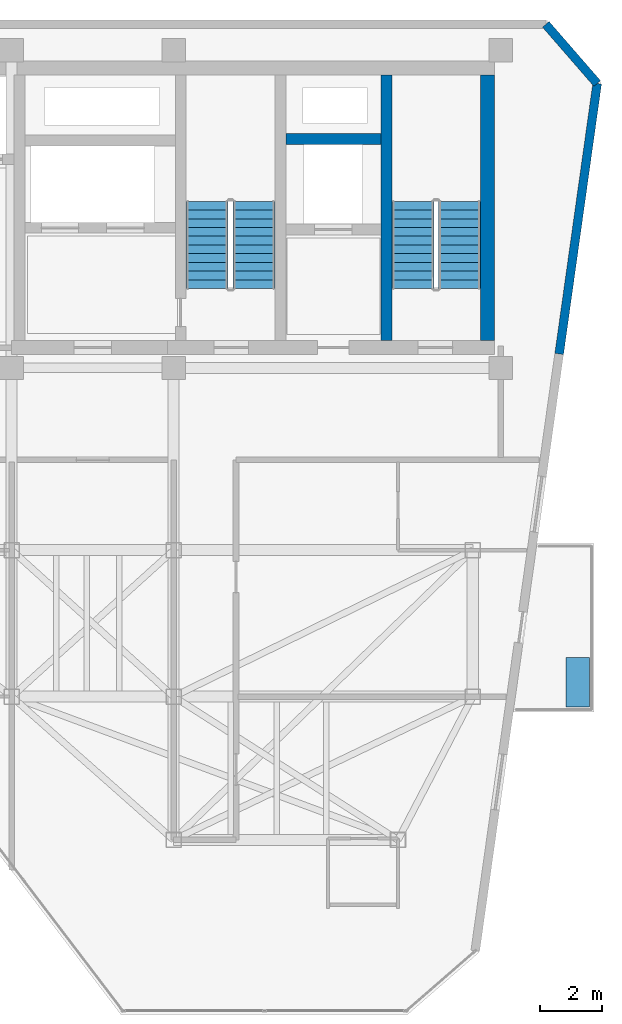
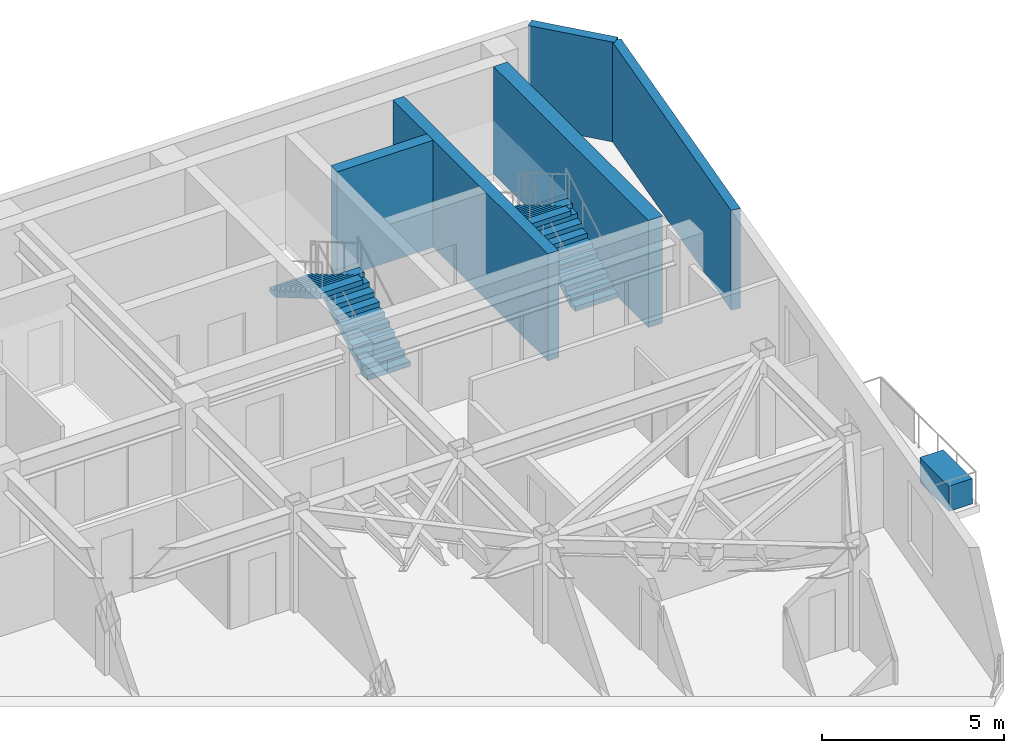
# One storey, part 18 of 20: 5 walls, 4 stair flights, 1 discrete accessory, 2 elements without a shape of their own.
"""IFC4 building model written with IfcOpenShell, lengths in metres."""

from ifc_helpers import new_model, si_unit, direction, frame, frame_2d, origin, origin_2d, place, context, subcontext, project, spatial, polyline, rectangle, outline, extrude, material, layer, layer_set, type_object, element, aggregate, save


model = new_model("IFC4")

# Units and contexts
model_context = context("Model", 3, precision=1e-05, world=origin(), true_north=direction((0.0, 1.0)))
body_context = subcontext(model_context, "Body", "Model", "MODEL_VIEW")
ifc_project = project(units=[si_unit("LENGTHUNIT", "METRE"), si_unit("AREAUNIT", "SQUARE_METRE"), si_unit("VOLUMEUNIT", "CUBIC_METRE"), si_unit("PLANEANGLEUNIT", "RADIAN"), si_unit("MASSUNIT", "GRAM", prefix="KILO")], contexts=[model_context])

# Site, building, storey
site_placement = place(None, origin())
site = spatial("IfcSite", under=ifc_project, at=site_placement, CompositionType="ELEMENT")
building_placement = place(site_placement, origin())
building = spatial("IfcBuilding", under=site, at=building_placement, Name="Kravanh Interchange Tower", CompositionType="ELEMENT")
storey_placement = place(building_placement, frame((0.0, 0.0, 241.800048828125)))
storey = spatial("IfcBuildingStorey", under=building, at=storey_placement, Name="L58", CompositionType="ELEMENT", Elevation=241.800048828125)

# Walls
ifc_material_1 = material(Name="Concrete C60/75", Category="concrete")
ifc_layer_1 = layer(ifc_material_1, 0.35009765625)
ifc_layer_set_1 = layer_set([ifc_layer_1], Name="Core Shear Wall Concrete C60/75 350mm")
wall_type_1 = type_object("IfcWallType", Name="Core Shear Wall Concrete C60/75 350mm", PredefinedType="SHEAR", material=ifc_layer_set_1)
wall_1_placement = place(storey_placement, frame((62.824951171875, 38.22509765625, 0.0), z_axis=(0.0, 0.0, 1.0), x_axis=(0.0, 1.0, 0.0)))
element("IfcWall", 1, at=wall_1_placement, inside=storey, type_object=wall_type_1, Name="L58 Stair ST1 West Shear Wall", PredefinedType="SHEAR", context=body_context, shape_type="SweptSolid", body=[
    extrude(rectangle(XDim=8.52490234375, YDim=0.35009765625, at=frame_2d((4.262451171875, 0.0))), origin(), (0.0, 0.0, 1.0), 3.599853515625),
])
wall_2_placement = place(storey_placement, frame((59.60009765625, 44.699951171875, 0.0), z_axis=(0.0, 0.0, 1.0), x_axis=(1.0, 0.0, 0.0)))
element("IfcWall", 2, at=wall_2_placement, inside=storey, type_object=wall_type_1, Name="L58 Service Lift Shaft North Wall", PredefinedType="SHEAR", context=body_context, shape_type="SweptSolid", body=[
    extrude(rectangle(XDim=3.0498046875, YDim=0.35009765625, at=frame_2d((1.52490234375, 0.0))), origin(), (0.0, 0.0, 1.0), 3.599853515625),
])
ifc_material_2 = material(Name="Concrete C60/75", Category="concrete")
ifc_layer_2 = layer(ifc_material_2, 0.449951171875)
ifc_layer_set_2 = layer_set([ifc_layer_2], Name="Core Shear Wall Concrete C60/75 450mm")
wall_type_2 = type_object("IfcWallType", Name="Core Shear Wall Concrete C60/75 450mm", PredefinedType="SHEAR", material=ifc_layer_set_2)
wall_3_placement = place(storey_placement, frame((66.074951171875, 38.22509765625, 0.0), z_axis=(0.0, 0.0, 1.0), x_axis=(0.0, 1.0, 0.0)))
element("IfcWall", 3, at=wall_3_placement, inside=storey, type_object=wall_type_2, Name="L58 Stair ST1 East Shear Wall", PredefinedType="SHEAR", context=body_context, shape_type="SweptSolid", body=[
    extrude(rectangle(XDim=8.52490234375, YDim=0.449951171875, at=frame_2d((4.262451171875, 0.0))), origin(), (0.0, 0.0, 1.0), 3.599853515625),
])
ifc_material_3 = material(Name="Insulated Precast Concrete C40/50 with Bronze Cladding", Category="concrete")
ifc_layer_3 = layer(ifc_material_3, 0.280029296875)
ifc_layer_set_3 = layer_set([ifc_layer_3], Name="Exterior Insulated Concrete C40/50 Bronze Spandrel Wall 280mm")
wall_type_3 = type_object("IfcWallType", Name="Exterior Insulated Concrete C40/50 Bronze Spandrel Wall 280mm", PredefinedType="STANDARD", material=ifc_layer_set_3)
wall_4_placement = place(storey_placement, frame((67.9453125, 48.3798828125, 0.0), z_axis=(0.0, 0.0, 1.0), x_axis=(0.656068147197, -0.75470165379, 0.0)))
element("IfcWall", 4, at=wall_4_placement, inside=storey, type_object=wall_type_3, Name="L58 Exterior Wall 4", PredefinedType="STANDARD", context=body_context, shape_type="SweptSolid", body=[
    extrude(rectangle(XDim=2.514892578125, YDim=0.280029296875, at=frame_2d((1.25732421875, 0.0))), origin(), (0.0, 0.0, 1.0), 3.349853515625),
])
wall_5_placement = place(storey_placement, frame((69.59521484375, 46.48193359375, 0.0), z_axis=(0.0, 0.0, 1.0), x_axis=(-0.139179310088, -0.990267196086, 0.0)))
element("IfcWall", 5, at=wall_5_placement, inside=storey, type_object=wall_type_3, Name="L58 Exterior Wall 5", PredefinedType="STANDARD", context=body_context, shape_type="SweptSolid", body=[
    extrude(rectangle(XDim=8.767333984375, YDim=0.280029296875, at=frame_2d((4.3837890625, 0.0))), origin(), (0.0, 0.0, 1.0), 3.349853515625),
])

# Stair, stair flights
ifc_material_4 = material(Name="Concrete C50/60", Category="concrete")
stair_type = type_object("IfcStairType", Name="Core Fire Exit Dogleg Stair Concrete C50/60", PredefinedType="HALF_TURN_STAIR", material=ifc_material_4)
stair_1_placement = place(storey_placement, origin())
stair_1 = element("IfcStair", 6, at=stair_1_placement, inside=storey, type_object=stair_type, Name="L58 Exit Stair ST1", PredefinedType="HALF_TURN_STAIR")
ifc_material_5 = material(Name="Precast Concrete C50/60", Category="concrete")
ifc_layer_4 = layer(ifc_material_5, 0.199951171875)
ifc_layer_set_4 = layer_set([ifc_layer_4], Name="Precast Concrete C50/60 Stair Flight 1350mm")
stair_flight_type = type_object("IfcStairFlightType", Name="Precast Concrete C50/60 Stair Flight 1350mm", PredefinedType="STRAIGHT", material=ifc_layer_set_4)
stair_flight_1_placement = place(storey_placement, frame((65.175048828125, 39.89990234375, 0.0), z_axis=(0.0, 0.0, 1.0), x_axis=(0.0, 1.0, 0.0)))
stair_flight_1 = element("IfcStairFlight", 7, at=stair_flight_1_placement, type_object=stair_flight_type, Name="ST1 flight 1", NumberOfRisers=11, NumberOfTreads=10, PredefinedType="STRAIGHT", RiserHeight=0.163636364, TreadLength=0.28, context=body_context, shape_type="SweptSolid", body=[
    extrude(outline(polyline([(0.0, 0.0), (0.0, 0.16357421875), (0.280029296875, 0.16357421875), (0.280029296875, 0.327392578125), (0.56005859375, 0.327392578125), (0.56005859375, 0.490966796875), (0.840087890625, 0.490966796875), (0.840087890625, 0.654541015625), (1.1201171875, 0.654541015625), (1.1201171875, 0.818115234375), (1.39990234375, 0.818115234375), (1.39990234375, 0.98193359375), (1.679931640625, 0.98193359375), (1.679931640625, 1.1455078125), (1.9599609375, 1.1455078125), (1.9599609375, 1.30908203125), (2.239990234375, 1.30908203125), (2.239990234375, 1.47265625), (2.52001953125, 1.47265625), (2.52001953125, 1.636474609375), (2.800048828125, 1.636474609375), (2.800048828125, 1.800048828125), (2.800048828125, 1.462646484375), (0.297119140625, 0.0), (0.0, 0.0)])), frame((0.0, 0.675048828125, 0.0), z_axis=(0.0, -1.0, 0.0), x_axis=(1.0, 0.0, 0.0)), (0.0, 0.0, 1.0), 1.35009765625),
])
stair_flight_2_placement = place(storey_placement, frame((63.675048828125, 42.699951171875, 1.800048828125), z_axis=(0.0, 0.0, 1.0), x_axis=(0.0, -1.0, 0.0)))
stair_flight_2 = element("IfcStairFlight", 8, at=stair_flight_2_placement, type_object=stair_flight_type, Name="ST1 flight 2", NumberOfRisers=11, NumberOfTreads=10, PredefinedType="STRAIGHT", RiserHeight=0.163636364, TreadLength=0.28, context=body_context, shape_type="SweptSolid", body=[
    extrude(outline(polyline([(0.0, 0.0), (0.0, 0.16357421875), (0.280029296875, 0.16357421875), (0.280029296875, 0.327392578125), (0.56005859375, 0.327392578125), (0.56005859375, 0.490966796875), (0.840087890625, 0.490966796875), (0.840087890625, 0.654541015625), (1.1201171875, 0.654541015625), (1.1201171875, 0.818115234375), (1.39990234375, 0.818115234375), (1.39990234375, 0.98193359375), (1.679931640625, 0.98193359375), (1.679931640625, 1.1455078125), (1.9599609375, 1.1455078125), (1.9599609375, 1.30908203125), (2.239990234375, 1.30908203125), (2.239990234375, 1.47265625), (2.52001953125, 1.47265625), (2.52001953125, 1.636474609375), (2.800048828125, 1.636474609375), (2.800048828125, 1.800048828125), (2.800048828125, 1.462646484375), (0.297119140625, 0.0), (0.0, 0.0)])), frame((0.0, 0.675048828125, 0.0), z_axis=(0.0, -1.0, 0.0), x_axis=(1.0, 0.0, 0.0)), (0.0, 0.0, 1.0), 1.35009765625),
])
aggregate(stair_1, [stair_flight_1, stair_flight_2])

stair_2_placement = place(storey_placement, origin())
stair_2 = element("IfcStair", 9, at=stair_2_placement, inside=storey, type_object=stair_type, Name="L58 Exit Stair ST2", PredefinedType="HALF_TURN_STAIR")
stair_flight_3_placement = place(storey_placement, frame((58.574951171875, 39.89990234375, 0.0), z_axis=(0.0, 0.0, 1.0), x_axis=(0.0, 1.0, 0.0)))
stair_flight_3 = element("IfcStairFlight", 10, at=stair_flight_3_placement, type_object=stair_flight_type, Name="ST2 flight 1", NumberOfRisers=11, NumberOfTreads=10, PredefinedType="STRAIGHT", RiserHeight=0.163636364, TreadLength=0.28, context=body_context, shape_type="SweptSolid", body=[
    extrude(outline(polyline([(0.0, 0.0), (0.0, 0.16357421875), (0.280029296875, 0.16357421875), (0.280029296875, 0.327392578125), (0.56005859375, 0.327392578125), (0.56005859375, 0.490966796875), (0.840087890625, 0.490966796875), (0.840087890625, 0.654541015625), (1.1201171875, 0.654541015625), (1.1201171875, 0.818115234375), (1.39990234375, 0.818115234375), (1.39990234375, 0.98193359375), (1.679931640625, 0.98193359375), (1.679931640625, 1.1455078125), (1.9599609375, 1.1455078125), (1.9599609375, 1.30908203125), (2.239990234375, 1.30908203125), (2.239990234375, 1.47265625), (2.52001953125, 1.47265625), (2.52001953125, 1.636474609375), (2.800048828125, 1.636474609375), (2.800048828125, 1.800048828125), (2.800048828125, 1.462646484375), (0.297119140625, 0.0), (0.0, 0.0)])), frame((0.0, 0.675048828125, 0.0), z_axis=(0.0, -1.0, 0.0), x_axis=(1.0, 0.0, 0.0)), (0.0, 0.0, 1.0), 1.35009765625),
])
stair_flight_4_placement = place(storey_placement, frame((57.074951171875, 42.699951171875, 1.800048828125), z_axis=(0.0, 0.0, 1.0), x_axis=(0.0, -1.0, 0.0)))
stair_flight_4 = element("IfcStairFlight", 11, at=stair_flight_4_placement, type_object=stair_flight_type, Name="ST2 flight 2", NumberOfRisers=11, NumberOfTreads=10, PredefinedType="STRAIGHT", RiserHeight=0.163636364, TreadLength=0.28, context=body_context, shape_type="SweptSolid", body=[
    extrude(outline(polyline([(0.0, 0.0), (0.0, 0.16357421875), (0.280029296875, 0.16357421875), (0.280029296875, 0.327392578125), (0.56005859375, 0.327392578125), (0.56005859375, 0.490966796875), (0.840087890625, 0.490966796875), (0.840087890625, 0.654541015625), (1.1201171875, 0.654541015625), (1.1201171875, 0.818115234375), (1.39990234375, 0.818115234375), (1.39990234375, 0.98193359375), (1.679931640625, 0.98193359375), (1.679931640625, 1.1455078125), (1.9599609375, 1.1455078125), (1.9599609375, 1.30908203125), (2.239990234375, 1.30908203125), (2.239990234375, 1.47265625), (2.52001953125, 1.47265625), (2.52001953125, 1.636474609375), (2.800048828125, 1.636474609375), (2.800048828125, 1.800048828125), (2.800048828125, 1.462646484375), (0.297119140625, 0.0), (0.0, 0.0)])), frame((0.0, 0.675048828125, 0.0), z_axis=(0.0, -1.0, 0.0), x_axis=(1.0, 0.0, 0.0)), (0.0, 0.0, 1.0), 1.35009765625),
])
aggregate(stair_2, [stair_flight_3, stair_flight_4])

# Discrete accessory
ifc_material_6 = material(Name="Architectural GRC Concrete C40/50 with Root Barrier", Category="concrete")
discrete_accessory_type = type_object("IfcDiscreteAccessoryType", Name="Structural Balcony Tree Planter Box Concrete C40/50 1600x750x850", PredefinedType="USERDEFINED", material=ifc_material_6)
discrete_accessory_placement = place(storey_placement, frame((68.969970703125, 27.260009765625, 0.0), z_axis=(0.0, 0.0, 1.0), x_axis=(1.0, 0.0, 0.0)))
element("IfcDiscreteAccessory", 12, at=discrete_accessory_placement, inside=storey, type_object=discrete_accessory_type, Name="L58 E Balcony TREE PLANTER", ObjectType="PLANTER", PredefinedType="USERDEFINED", context=body_context, shape_type="SweptSolid", body=[
    extrude(rectangle(XDim=0.75, YDim=1.60009765625, at=origin_2d()), origin(), (0.0, 0.0, 1.0), 0.85009765625),
])

save(model, "model.ifc")
